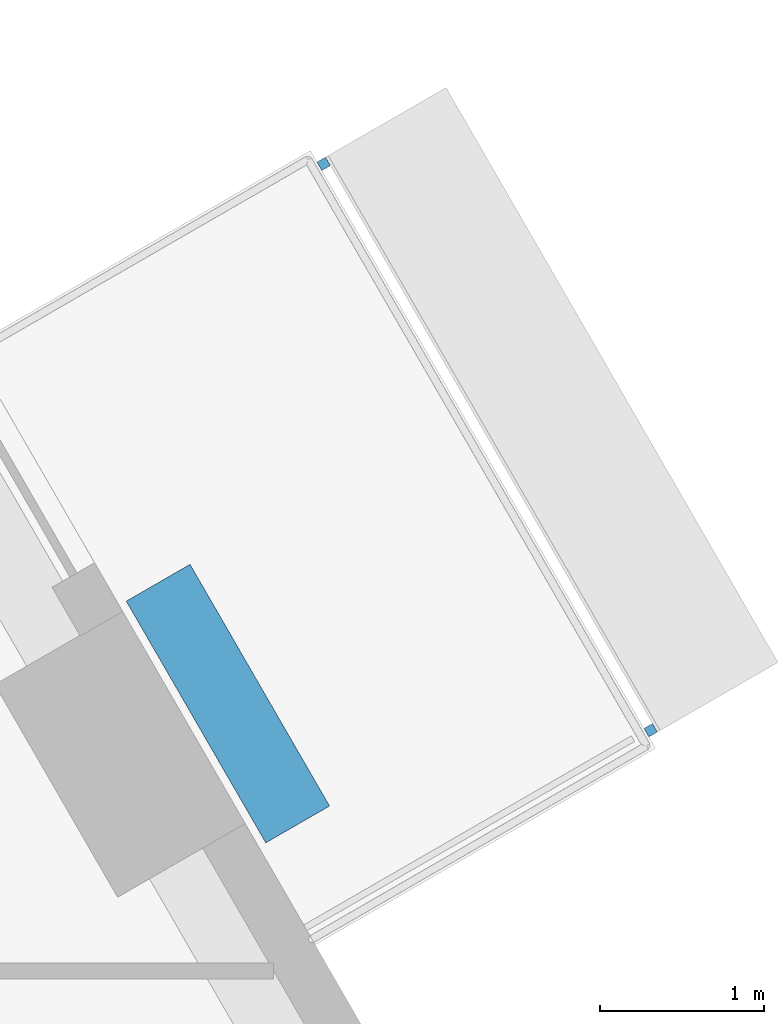
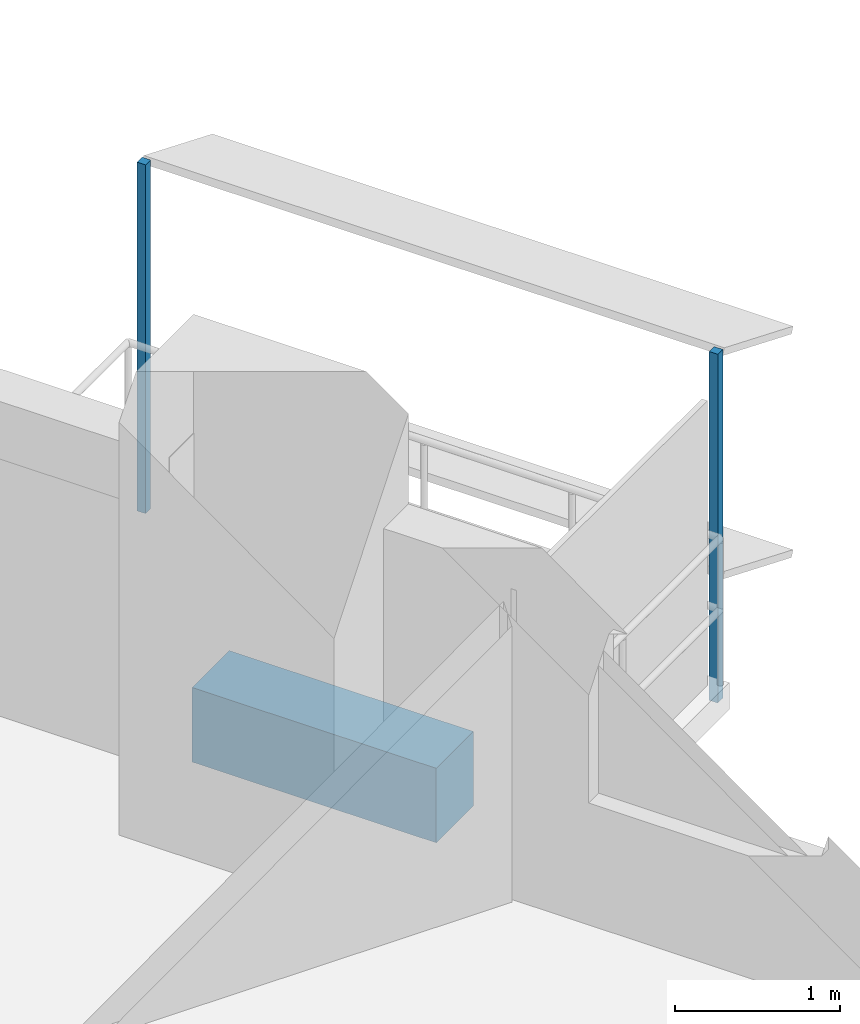
# One storey, part 10 of 13: 3 discrete accessories.
"""IFC4 building model written with IfcOpenShell, lengths in metres."""

from ifc_helpers import new_model, si_unit, direction, frame, origin, origin_2d, place, context, subcontext, project, spatial, rectangle, extrude, material, type_object, element, save


model = new_model("IFC4")

# Units and contexts
model_context = context("Model", 3, precision=1e-05, world=origin(), true_north=direction((0.0, 1.0)))
body_context = subcontext(model_context, "Body", "Model", "MODEL_VIEW")
ifc_project = project(units=[si_unit("LENGTHUNIT", "METRE"), si_unit("AREAUNIT", "SQUARE_METRE"), si_unit("VOLUMEUNIT", "CUBIC_METRE"), si_unit("PLANEANGLEUNIT", "RADIAN"), si_unit("MASSUNIT", "GRAM", prefix="KILO")], contexts=[model_context])

# Site, building, storey
site_placement = place(None, origin())
site = spatial("IfcSite", under=ifc_project, at=site_placement, CompositionType="ELEMENT")
building_placement = place(site_placement, origin())
building = spatial("IfcBuilding", under=site, at=building_placement, Name="Nakaniwa Court", CompositionType="ELEMENT")
storey_placement = place(building_placement, frame((0.0, 0.0, 64.5)))
storey = spatial("IfcBuildingStorey", under=building, at=storey_placement, Name="L17", CompositionType="ELEMENT", Elevation=64.5)

# Discrete accessories
ifc_material_1 = material(Name="Black powder-coated steel bracket S275", Category="steel")
discrete_accessory_type_1 = type_object("IfcDiscreteAccessoryType", Name="Black metal louvre bracket", PredefinedType="BRACKET", material=ifc_material_1)
for number, where, z_axis, x_axis, name in (
    (1, (103.550048828125, 92.0703125, -0.22998046875), (0.0, 0.0, 1.0), (-0.500004534492, 0.866022785779, 0.0), "L17 louvre bracket 01 1"),
    (2, (101.552490234375, 95.52978515625, -0.22998046875), (0.0, 0.0, 1.0), (-0.500004534492, 0.866022785779, 0.0), "L17 louvre bracket 01 2"),
):
    element("IfcDiscreteAccessory", number, at=place(storey_placement, frame(where, z_axis=z_axis, x_axis=x_axis)), inside=storey, type_object=discrete_accessory_type_1, Name=name, PredefinedType="BRACKET", context=body_context, shape_type="SweptSolid", body=[
        extrude(rectangle(XDim=0.06005859375, YDim=0.06005859375, at=origin_2d()), origin(), (0.0, 0.0, 1.0), 2.5751953125),
    ])
ifc_material_2 = material(Name="Precast concrete C40/50 planter with planted soil", Category="concrete")
discrete_accessory_type_2 = type_object("IfcDiscreteAccessoryType", Name="Planter box charcoal concrete", PredefinedType="USERDEFINED", material=ifc_material_2)
discrete_accessory_placement = place(storey_placement, frame((100.967529296875, 92.233154296875, -0.0498046875), z_axis=(0.0, 0.0, 1.0), x_axis=(-0.500004534492, 0.866022785779, 0.0)))
element("IfcDiscreteAccessory", 3, at=discrete_accessory_placement, inside=storey, type_object=discrete_accessory_type_2, Name="L17 balcony PLANTER 01", ObjectType="PLANTER", PredefinedType="USERDEFINED", context=body_context, shape_type="SweptSolid", body=[
    extrude(rectangle(XDim=1.70458984375, YDim=0.449951171875, at=origin_2d()), origin(), (0.0, 0.0, 1.0), 0.550048828125),
])

save(model, "model.ifc")
